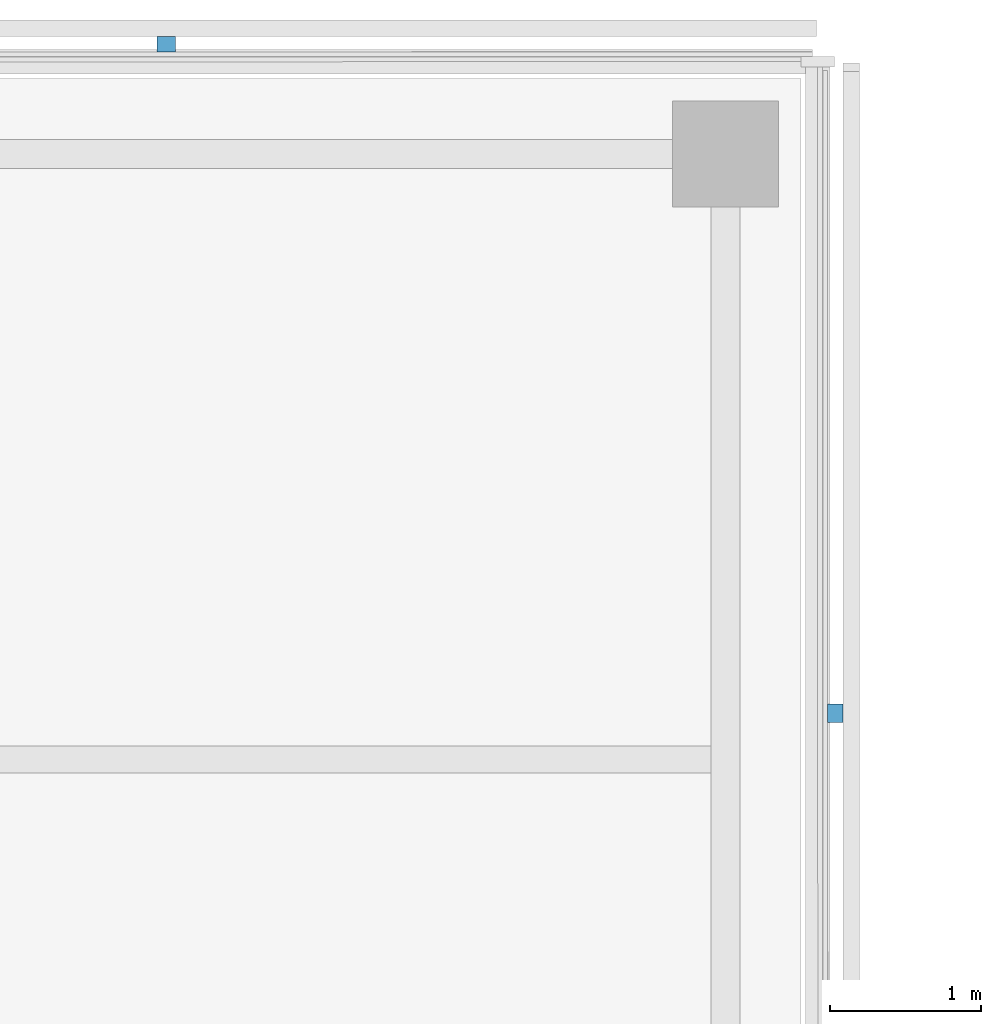
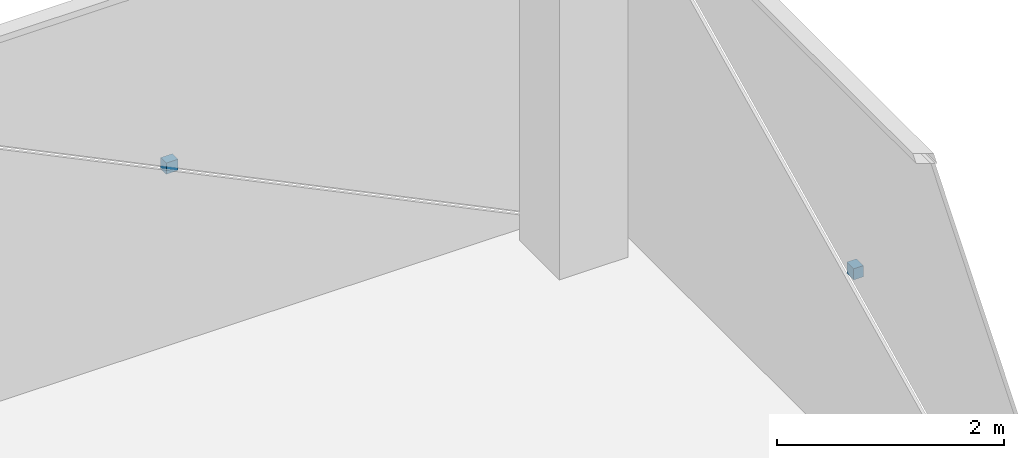
# One storey, part 20 of 22: 2 discrete accessories.
"""IFC4 building model written with IfcOpenShell, lengths in metres."""

from ifc_helpers import new_model, si_unit, direction, frame, origin, origin_2d, place, context, subcontext, project, spatial, rectangle, extrude, material, type_object, element, save


model = new_model("IFC4")

# Units and contexts
model_context = context("Model", 3, precision=1e-05, world=origin(), true_north=direction((0.0, 1.0)))
body_context = subcontext(model_context, "Body", "Model", "MODEL_VIEW")
ifc_project = project(units=[si_unit("LENGTHUNIT", "METRE"), si_unit("AREAUNIT", "SQUARE_METRE"), si_unit("VOLUMEUNIT", "CUBIC_METRE"), si_unit("PLANEANGLEUNIT", "RADIAN"), si_unit("MASSUNIT", "GRAM", prefix="KILO")], contexts=[model_context])

# Site, building, storey
site_placement = place(None, origin())
site = spatial("IfcSite", under=ifc_project, at=site_placement, CompositionType="ELEMENT")
building_placement = place(site_placement, origin())
building = spatial("IfcBuilding", under=site, at=building_placement, Name="Crosswind Convention Tower", CompositionType="ELEMENT")
storey_placement = place(building_placement, frame((0.0, 0.0, 158.89990234375)))
storey = spatial("IfcBuildingStorey", under=building, at=storey_placement, Name="L33", CompositionType="ELEMENT", Elevation=158.89990234375)

# Discrete accessories
ifc_material = material(Name="Stainless steel", Category="steel")
discrete_accessory_type = type_object("IfcDiscreteAccessoryType", Name="BAGUETTE BRACKET BK3", PredefinedType="BRACKET", material=ifc_material)
for number, where, z_axis, x_axis, name in (
    (1, (137.72607421875, 124.304931640625, 1.705078125), (0.0, 0.0, 1.0), (0.0, 1.0, 0.0), "BK3 baguette bracket"),
    (2, (133.304931640625, 128.72607421875, 1.705078125), (0.0, 0.0, 1.0), (-1.0, 0.0, 0.0), "BK3 baguette bracket"),
):
    element("IfcDiscreteAccessory", number, at=place(storey_placement, frame(where, z_axis=z_axis, x_axis=x_axis)), inside=storey, type_object=discrete_accessory_type, Name=name, PredefinedType="BRACKET", context=body_context, shape_type="SweptSolid", body=[
        extrude(rectangle(XDim=0.1201171875, YDim=0.10009765625, at=origin_2d()), origin(), (0.0, 0.0, 1.0), 0.1201171875),
    ])

save(model, "model.ifc")
